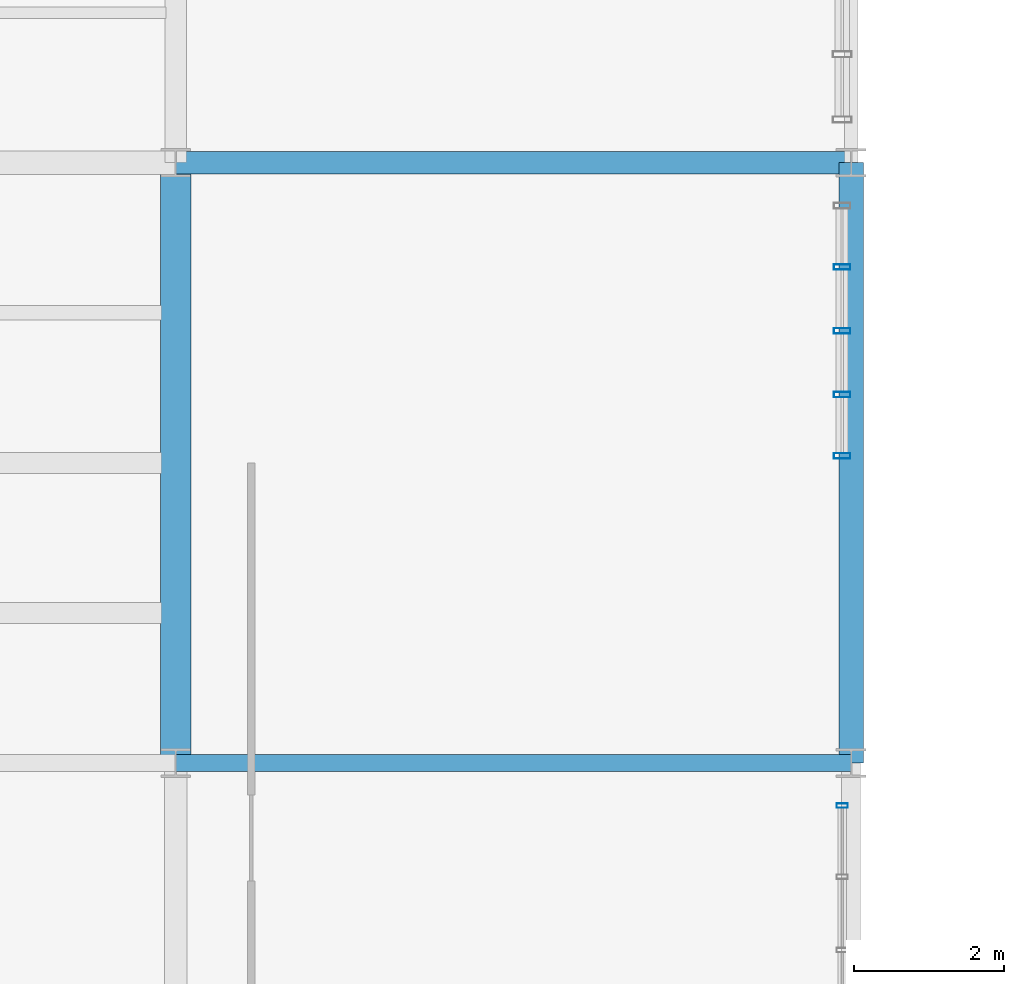
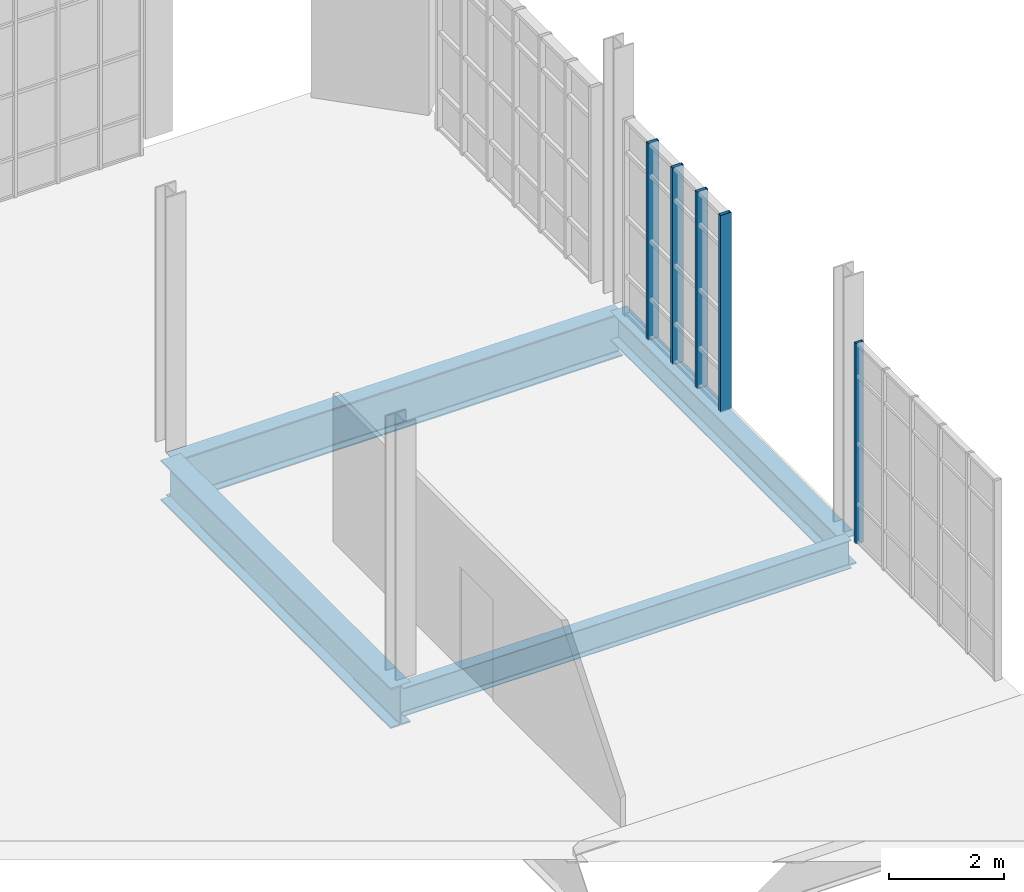
# One storey, part 100 of 189: 5 members, 4 beams, 2 elements without a shape of their own.
"""IFC4 building model written with IfcOpenShell, lengths in metres."""

from ifc_helpers import new_model, si_unit, direction, frame, origin, origin_2d, place, context, subcontext, project, spatial, hollow_rectangle, i_section, extrude, material, layer, layer_set, material_profile, profile_set, type_object, element, aggregate, save


model = new_model("IFC4")

# Units and contexts
model_context = context("Model", 3, precision=1e-05, world=origin(), true_north=direction((0.0, 1.0)))
body_context = subcontext(model_context, "Body", "Model", "MODEL_VIEW")
ifc_project = project(units=[si_unit("LENGTHUNIT", "METRE"), si_unit("AREAUNIT", "SQUARE_METRE"), si_unit("VOLUMEUNIT", "CUBIC_METRE"), si_unit("PLANEANGLEUNIT", "RADIAN"), si_unit("MASSUNIT", "GRAM", prefix="KILO"), si_unit("THERMODYNAMICTEMPERATUREUNIT", "KELVIN"), si_unit("POWERUNIT", "WATT")], contexts=[model_context])

# Site, building, storey
site_placement = place(None, origin())
site = spatial("IfcSite", under=ifc_project, at=site_placement, CompositionType="ELEMENT")
building_placement = place(site_placement, origin())
building = spatial("IfcBuilding", under=site, at=building_placement, Name="Zelmaris Science Centre", CompositionType="ELEMENT")
storey_placement = place(building_placement, origin())
storey = spatial("IfcBuildingStorey", under=building, at=storey_placement, Name="L00", CompositionType="ELEMENT", Elevation=0.0)

# Curtain wall, member
ifc_material_1 = material(Name="Anodised architectural aluminium 6063-T6", Category="aluminium")
ifc_layer_1 = layer(ifc_material_1, 0.219970703125, Name="Anodised architectural aluminium 6063-T6")
ifc_layer_set_1 = layer_set([ifc_layer_1], Name="Anodised architectural aluminium 6063-T6")
curtain_wall_type_1 = type_object("IfcCurtainWallType", Name="Curtain Wall CW-04", PredefinedType="USERDEFINED", material=ifc_layer_set_1)
curtain_wall_1_placement = place(storey_placement, origin())
curtain_wall_1 = element("IfcCurtainWall", 1, at=curtain_wall_1_placement, inside=storey, type_object=curtain_wall_type_1, Name="L00 Unitised curtain wall 88", ObjectType="GLAZED CURTAIN WALL", PredefinedType="USERDEFINED")
ifc_material_profile_1 = material_profile(ifc_material_1, hollow_rectangle(XDim=0.06005859375, YDim=0.14990234375, WallThickness=0.00341796875, at=origin_2d()), Name="ALU-MUL-60X150")
ifc_profile_set_1 = profile_set([ifc_material_profile_1], Name="Anodised architectural aluminium 6063-T6")
member_type_1 = type_object("IfcMemberType", Name="ALU-MUL-60X150", PredefinedType="MULLION", material=ifc_profile_set_1)
member_1_placement = place(storey_placement, frame((107.8818359375, 71.43408203125, -0.014892578125), z_axis=(0.0, 0.0, 1.0), x_axis=(0.000129154364, -0.99999999166, 0.0)))
member_1 = element("IfcMember", 2, at=member_1_placement, type_object=member_type_1, Name="CW-04 mullion 1", PredefinedType="MULLION", context=body_context, shape_type="SweptSolid", body=[
    extrude(hollow_rectangle(XDim=0.06005859375, YDim=0.14990234375, WallThickness=0.00341796875, at=origin_2d()), origin(), (0.0, 0.0, 1.0), 4.263916015625),
])
aggregate(curtain_wall_1, [member_1])

# Curtain wall, members
ifc_layer_2 = layer(ifc_material_1, 0.199951171875, Name="Anodised architectural aluminium 6063-T6")
ifc_layer_set_2 = layer_set([ifc_layer_2], Name="Anodised architectural aluminium 6063-T6")
curtain_wall_type_2 = type_object("IfcCurtainWallType", Name="Curtain Wall CW-02", PredefinedType="USERDEFINED", material=ifc_layer_set_2)
curtain_wall_2_placement = place(storey_placement, origin())
curtain_wall_2 = element("IfcCurtainWall", 3, at=curtain_wall_2_placement, inside=storey, type_object=curtain_wall_type_2, Name="L00 Unitised curtain wall 86", ObjectType="GLAZED CURTAIN WALL", PredefinedType="USERDEFINED")
ifc_material_profile_2 = material_profile(ifc_material_1, hollow_rectangle(XDim=0.074951171875, YDim=0.219970703125, WallThickness=0.0048828125, at=origin_2d()), Name="ALU-MUL-75X220")
ifc_profile_set_2 = profile_set([ifc_material_profile_2], Name="Anodised architectural aluminium 6063-T6")
member_type_2 = type_object("IfcMemberType", Name="ALU-MUL-75X220", PredefinedType="MULLION", material=ifc_profile_set_2)
member_2_placement = place(storey_placement, frame((107.880859375, 78.610107421875, -0.014892578125), z_axis=(0.0, 0.0, 1.0), x_axis=(0.000129154364, -0.99999999166, 0.0)))
member_2 = element("IfcMember", 4, at=member_2_placement, type_object=member_type_2, Name="CW-02 mullion 2", PredefinedType="MULLION", context=body_context, shape_type="SweptSolid", body=[
    extrude(hollow_rectangle(XDim=0.074951171875, YDim=0.219970703125, WallThickness=0.0048828125, at=origin_2d()), origin(), (0.0, 0.0, 1.0), 4.1728515625),
])
member_3_placement = place(storey_placement, frame((107.881103515625, 77.760009765625, -0.014892578125), z_axis=(0.0, 0.0, 1.0), x_axis=(0.000129154364, -0.99999999166, 0.0)))
member_3 = element("IfcMember", 5, at=member_3_placement, type_object=member_type_2, Name="CW-02 mullion 3", PredefinedType="MULLION", context=body_context, shape_type="SweptSolid", body=[
    extrude(hollow_rectangle(XDim=0.074951171875, YDim=0.219970703125, WallThickness=0.0048828125, at=origin_2d()), origin(), (0.0, 0.0, 1.0), 4.1728515625),
])
member_4_placement = place(storey_placement, frame((107.881103515625, 76.909912109375, -0.014892578125), z_axis=(0.0, 0.0, 1.0), x_axis=(0.000129154364, -0.99999999166, 0.0)))
member_4 = element("IfcMember", 6, at=member_4_placement, type_object=member_type_2, Name="CW-02 mullion 4", PredefinedType="MULLION", context=body_context, shape_type="SweptSolid", body=[
    extrude(hollow_rectangle(XDim=0.074951171875, YDim=0.219970703125, WallThickness=0.0048828125, at=origin_2d()), origin(), (0.0, 0.0, 1.0), 4.1728515625),
])
member_5_placement = place(storey_placement, frame((107.88134765625, 76.093505859375, -0.014892578125), z_axis=(0.0, 0.0, 1.0), x_axis=(0.000129154364, -0.99999999166, 0.0)))
member_5 = element("IfcMember", 7, at=member_5_placement, type_object=member_type_2, Name="CW-02 mullion 5", PredefinedType="MULLION", context=body_context, shape_type="SweptSolid", body=[
    extrude(hollow_rectangle(XDim=0.074951171875, YDim=0.219970703125, WallThickness=0.0048828125, at=origin_2d()), origin(), (0.0, 0.0, 1.0), 4.1728515625),
])
aggregate(curtain_wall_2, [member_2, member_3, member_4, member_5])

# Beams
ifc_material_2 = material(Name="Steel ASTM A992 Grade 50", Category="steel")
ifc_material_profile_3 = material_profile(ifc_material_2, i_section(OverallWidth=0.22900390625, OverallDepth=0.60205078125, WebThickness=0.010498046875, FlangeThickness=0.014892578125, FilletRadius=0.014892578125, at=origin_2d()), Name="W24X68")
ifc_profile_set_3 = profile_set([ifc_material_profile_3], Name="Steel ASTM A992 Grade 50")
beam_type_1 = type_object("IfcBeamType", Name="Beam G-17 W24X68", PredefinedType="BEAM", material=ifc_profile_set_3)
beam_1_placement = place(storey_placement, frame((99.0, 72.0, -0.5810546875), z_axis=(1.0, 0.0, 0.0), x_axis=(0.0, 1.0, 0.0)))
element("IfcBeam", 8, at=beam_1_placement, inside=storey, type_object=beam_type_1, Name="L00 East-west girder 165", PredefinedType="BEAM", context=body_context, shape_type="SweptSolid", body=[
    extrude(i_section(OverallWidth=0.22900390625, OverallDepth=0.60205078125, WebThickness=0.010498046875, FlangeThickness=0.014892578125, FilletRadius=0.014892578125, at=origin_2d()), origin(), (0.0, 0.0, 1.0), 9.0),
])
ifc_material_profile_4 = material_profile(ifc_material_2, i_section(OverallWidth=0.304931640625, OverallDepth=0.9189453125, WebThickness=0.017333984375, FlangeThickness=0.02783203125, FilletRadius=0.02392578125, at=origin_2d()), Name="W36X170")
ifc_profile_set_4 = profile_set([ifc_material_profile_4], Name="Steel ASTM A992 Grade 50")
beam_type_2 = type_object("IfcBeamType", Name="Beam G-26 W36X170", PredefinedType="BEAM", material=ifc_profile_set_4)
beam_2_placement = place(storey_placement, frame((99.0, 80.0, -0.739501953125), z_axis=(1.0, 0.0, 0.0), x_axis=(0.0, 1.0, 0.0)))
element("IfcBeam", 9, at=beam_2_placement, inside=storey, type_object=beam_type_2, Name="L00 East-west girder 170", PredefinedType="BEAM", context=body_context, shape_type="SweptSolid", body=[
    extrude(i_section(OverallWidth=0.304931640625, OverallDepth=0.9189453125, WebThickness=0.017333984375, FlangeThickness=0.02783203125, FilletRadius=0.02392578125, at=origin_2d()), origin(), (0.0, 0.0, 1.0), 9.0),
])
ifc_material_profile_5 = material_profile(ifc_material_2, i_section(OverallWidth=0.404052734375, OverallDepth=0.861083984375, WebThickness=0.019775390625, FlangeThickness=0.032470703125, FilletRadius=0.02001953125, at=origin_2d()), Name="W33X221")
ifc_profile_set_5 = profile_set([ifc_material_profile_5], Name="Steel ASTM A992 Grade 50")
beam_type_3 = type_object("IfcBeamType", Name="Beam G-28 W33X221", PredefinedType="BEAM", material=ifc_profile_set_5)
beam_3_placement = place(storey_placement, frame((99.0, 72.0, -0.71044921875), z_axis=(0.0, 1.0, 0.0), x_axis=(-1.0, 0.0, 0.0)))
element("IfcBeam", 10, at=beam_3_placement, inside=storey, type_object=beam_type_3, Name="L00 North-south girder 48", PredefinedType="BEAM", context=body_context, shape_type="SweptSolid", body=[
    extrude(i_section(OverallWidth=0.404052734375, OverallDepth=0.861083984375, WebThickness=0.019775390625, FlangeThickness=0.032470703125, FilletRadius=0.02001953125, at=origin_2d()), origin(), (0.0, 0.0, 1.0), 8.0),
])
ifc_material_profile_6 = material_profile(ifc_material_2, i_section(OverallWidth=0.327880859375, OverallDepth=0.626953125, WebThickness=0.0166015625, FlangeThickness=0.027587890625, FilletRadius=0.014892578125, at=origin_2d()), Name="W24X146")
ifc_profile_set_6 = profile_set([ifc_material_profile_6], Name="Steel ASTM A992 Grade 50")
beam_type_4 = type_object("IfcBeamType", Name="Beam G-37 W24X146", PredefinedType="BEAM", material=ifc_profile_set_6)
beam_4_placement = place(storey_placement, frame((108.0, 72.0, -0.593505859375), z_axis=(0.0, 1.0, 0.0), x_axis=(-1.0, 0.0, 0.0)))
element("IfcBeam", 11, at=beam_4_placement, inside=storey, type_object=beam_type_4, Name="L00 North-south girder 57", PredefinedType="BEAM", context=body_context, shape_type="SweptSolid", body=[
    extrude(i_section(OverallWidth=0.327880859375, OverallDepth=0.626953125, WebThickness=0.0166015625, FlangeThickness=0.027587890625, FilletRadius=0.014892578125, at=origin_2d()), origin(), (0.0, 0.0, 1.0), 8.0),
])

save(model, "model.ifc")
